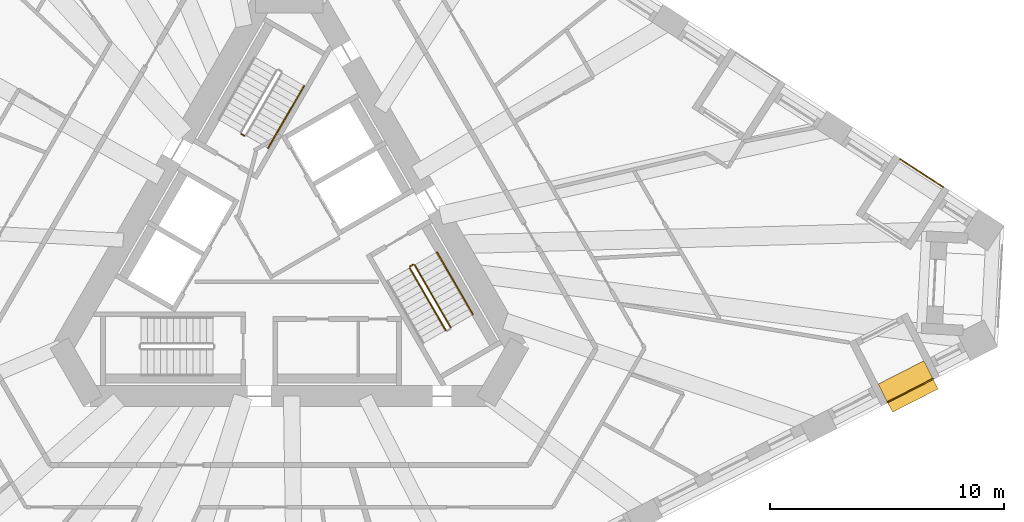
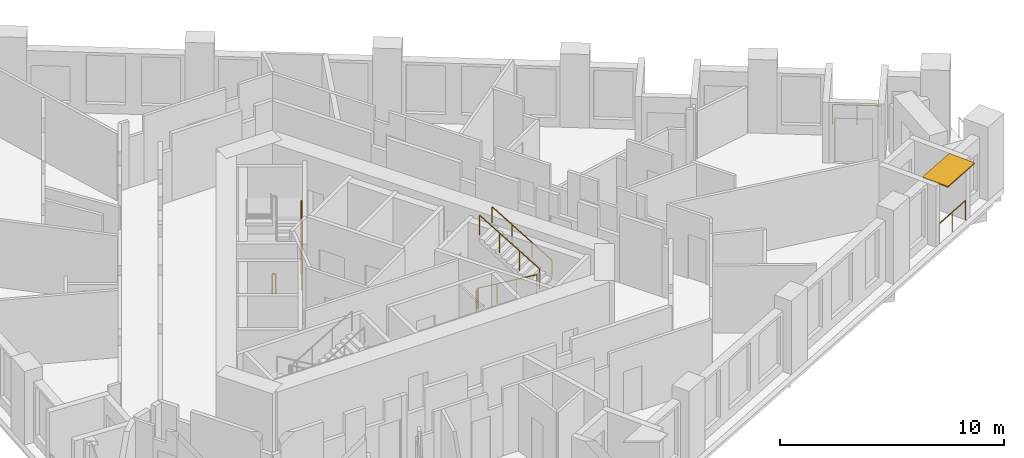
# One storey, part 11 of 13: 8 railings, 1 shading device.
"""IFC4 building model written with IfcOpenShell, lengths in metres."""

from ifc_helpers import new_model, si_unit, direction, frame, origin, origin_2d, place, context, subcontext, project, spatial, rectangle, circle, extrude, material, layer, layer_set, type_object, element, save


model = new_model("IFC4")

# Units and contexts
model_context = context("Model", 3, precision=1e-05, world=origin(), true_north=direction((0.0, 1.0)))
body_context = subcontext(model_context, "Body", "Model", "MODEL_VIEW")
ifc_project = project(units=[si_unit("LENGTHUNIT", "METRE"), si_unit("AREAUNIT", "SQUARE_METRE"), si_unit("VOLUMEUNIT", "CUBIC_METRE"), si_unit("PLANEANGLEUNIT", "RADIAN"), si_unit("MASSUNIT", "GRAM", prefix="KILO")], contexts=[model_context])

# Site, building, storey
site_placement = place(None, origin())
site = spatial("IfcSite", under=ifc_project, at=site_placement, CompositionType="ELEMENT")
building_placement = place(site_placement, origin())
building = spatial("IfcBuilding", under=site, at=building_placement, Name="Tramontana Tower", CompositionType="ELEMENT")
storey_placement = place(building_placement, frame((0.0, 0.0, 137.60009765625)))
storey = spatial("IfcBuildingStorey", under=building, at=storey_placement, Name="L31", CompositionType="ELEMENT", Elevation=137.60009765625)

# Railings
ifc_material_1 = material(Name="Laminated glass balustrade", Category="glass")
railing_type_1 = type_object("IfcRailingType", Name="GD1 Loggia glass balustrade 1100", PredefinedType="BALUSTRADE", material=ifc_material_1)
railing_1_placement = place(storey_placement, frame((25.603271484375, -6.5615234375, 0.0)))
element("IfcRailing", 1, at=railing_1_placement, inside=storey, type_object=railing_type_1, Name="Loggia balustrade L31 G3S1.16", PredefinedType="BALUSTRADE", context=body_context, shape_type="SweptSolid", body=[
    extrude(circle(Radius=0.02392578125, at=origin_2d()), frame((0.0, 0.0, 1.076171875), z_axis=(0.891013126725, 0.4539775413, 0.0), x_axis=(-0.4539775413, 0.891013126725, 0.0)), (0.0, 0.0, 1.0), 2.1904296875),
    extrude(circle(Radius=0.02099609375, at=origin_2d()), origin(), (0.0, 0.0, 1.0), 1.052001953125),
    extrude(circle(Radius=0.02099609375, at=origin_2d()), frame((0.975830078125, 0.4970703125, 0.0)), (0.0, 0.0, 1.0), 1.052001953125),
    extrude(circle(Radius=0.02099609375, at=origin_2d()), frame((1.95166015625, 0.994384765625, 0.0)), (0.0, 0.0, 1.0), 1.052001953125),
])
railing_2_placement = place(storey_placement, frame((27.98583984375, 2.65625, 0.0)))
element("IfcRailing", 2, at=railing_2_placement, inside=storey, type_object=railing_type_1, Name="Loggia balustrade L31 G3S2.1", PredefinedType="BALUSTRADE", context=body_context, shape_type="SweptSolid", body=[
    extrude(circle(Radius=0.02392578125, at=origin_2d()), frame((0.0, 0.0, 1.076171875), z_axis=(-0.838659986147, 0.544655329209, 0.0), x_axis=(-0.544655329209, -0.838659986147, 0.0)), (0.0, 0.0, 1.0), 2.190673828125),
    extrude(circle(Radius=0.02099609375, at=origin_2d()), origin(), (0.0, 0.0, 1.0), 1.052001953125),
    extrude(circle(Radius=0.02099609375, at=origin_2d()), frame((-0.91845703125, 0.5966796875, 0.0)), (0.0, 0.0, 1.0), 1.052001953125),
    extrude(circle(Radius=0.02099609375, at=origin_2d()), frame((-1.837158203125, 1.193115234375, 0.0)), (0.0, 0.0, 1.0), 1.052001953125),
])

# Shading device
ifc_material_2 = material(Name="Precast concrete 60 MPa", Category="concrete")
ifc_layer = layer(ifc_material_2, 0.06005859375)
ifc_layer_set = layer_set([ifc_layer], Name="SS1 Stone sunshade blade 60")
shading_device_type = type_object("IfcShadingDeviceType", Name="SS1 Stone sunshade blade 60", PredefinedType="USERDEFINED", material=ifc_layer_set)
shading_device_placement = place(storey_placement, frame((26.490478515625, -5.890625, 3.239990234375), z_axis=(0.0, 0.0, 1.0), x_axis=(0.891006524188, 0.45399049974, 0.0)))
element("IfcShadingDevice", 3, at=shading_device_placement, inside=storey, type_object=shading_device_type, Name="Sunshade L31 G3S1.16", ObjectType="SUNSHADE", PredefinedType="USERDEFINED", context=body_context, shape_type="SweptSolid", body=[
    extrude(rectangle(XDim=2.1904296875, YDim=1.35009765625, at=origin_2d()), origin(), (0.0, 0.0, 1.0), 0.06005859375),
])

# Railings
ifc_material_3 = material(Name="Painted steel", Category="steel")
railing_type_2 = type_object("IfcRailingType", Name="STAIR GUARD 1100", PredefinedType="GUARDRAIL", material=ifc_material_3)
railing_3_placement = place(storey_placement, frame((-1.935791015625, 4.84716796875, 0.0)))
element("IfcRailing", 4, at=railing_3_placement, inside=storey, type_object=railing_type_2, Name="L31 ST1 stair guard 4", PredefinedType="GUARDRAIL", context=body_context, shape_type="SweptSolid", body=[
    extrude(circle(Radius=0.02392578125, at=origin_2d()), frame((0.0, 0.0, 1.076171875), z_axis=(-0.865426285481, 0.501036270542, 0.0), x_axis=(-0.501036270542, -0.865426285481, 0.0)), (0.0, 0.0, 1.0), 0.150146484375),
    extrude(circle(Radius=0.02099609375, at=origin_2d()), origin(), (0.0, 0.0, 1.0), 1.052001953125),
    extrude(circle(Radius=0.02099609375, at=origin_2d()), frame((-0.1298828125, 0.0751953125, 0.0)), (0.0, 0.0, 1.0), 1.052001953125),
])
railing_4_placement = place(storey_placement, frame((5.1474609375, -0.815673828125, 0.16650390625)))
element("IfcRailing", 5, at=railing_4_placement, inside=storey, type_object=railing_type_2, Name="L31 ST3 stair guard 1", PredefinedType="GUARDRAIL", context=body_context, shape_type="SweptSolid", body=[
    extrude(circle(Radius=0.02392578125, at=origin_2d()), frame((0.0, 0.0, 1.076171875), z_axis=(0.429656224001, -0.744133520484, 0.511527939481), x_axis=(0.866010015463, 0.500026652407, 0.0)), (0.0, 0.0, 1.0), 3.58447265625),
    extrude(circle(Radius=0.02099609375, at=origin_2d()), origin(), (0.0, 0.0, 1.0), 1.052001953125),
    extrude(circle(Radius=0.02099609375, at=origin_2d()), frame((0.513427734375, -0.88916015625, 0.611083984375)), (0.0, 0.0, 1.0), 1.052001953125),
    extrude(circle(Radius=0.02099609375, at=origin_2d()), frame((1.026611328125, -1.778076171875, 1.222412109375)), (0.0, 0.0, 1.0), 1.052001953125),
    extrude(circle(Radius=0.02099609375, at=origin_2d()), frame((1.5400390625, -2.667236328125, 1.83349609375)), (0.0, 0.0, 1.0), 1.052001953125),
])
railing_5_placement = place(storey_placement, frame((6.90380859375, -3.35791015625, 2.16650390625)))
element("IfcRailing", 6, at=railing_5_placement, inside=storey, type_object=railing_type_2, Name="L31 ST3 stair guard 2", PredefinedType="GUARDRAIL", context=body_context, shape_type="SweptSolid", body=[
    extrude(circle(Radius=0.02392578125, at=origin_2d()), frame((0.0, 0.0, 1.076171875), z_axis=(-0.429600682602, 0.744155296881, 0.511542908886), x_axis=(-0.866044340336, -0.499967199496, 0.0)), (0.0, 0.0, 1.0), 3.584228515625),
    extrude(circle(Radius=0.02099609375, at=origin_2d()), origin(), (0.0, 0.0, 1.0), 1.052001953125),
    extrude(circle(Radius=0.02099609375, at=origin_2d()), frame((-0.51318359375, 0.88916015625, 0.611083984375)), (0.0, 0.0, 1.0), 1.052001953125),
    extrude(circle(Radius=0.02099609375, at=origin_2d()), frame((-1.026611328125, 1.778076171875, 1.222412109375)), (0.0, 0.0, 1.0), 1.052001953125),
    extrude(circle(Radius=0.02099609375, at=origin_2d()), frame((-1.539794921875, 2.667236328125, 1.83349609375)), (0.0, 0.0, 1.0), 1.052001953125),
])
railing_6_placement = place(storey_placement, frame((5.165771484375, -0.747314453125, 0.0)))
element("IfcRailing", 7, at=railing_6_placement, inside=storey, type_object=railing_type_2, Name="L31 ST3 stair guard 4", PredefinedType="GUARDRAIL", context=body_context, shape_type="SweptSolid", body=[
    extrude(circle(Radius=0.02392578125, at=origin_2d()), frame((0.0, 0.0, 1.076171875), z_axis=(0.866131372301, 0.499816412211, 0.0), x_axis=(-0.499816412211, 0.866131372301, 0.0)), (0.0, 0.0, 1.0), 0.14990234375),
    extrude(circle(Radius=0.02099609375, at=origin_2d()), origin(), (0.0, 0.0, 1.0), 1.052001953125),
    extrude(circle(Radius=0.02099609375, at=origin_2d()), frame((0.1298828125, 0.074951171875, 0.0)), (0.0, 0.0, 1.0), 1.052001953125),
])
ifc_material_4 = material(Name="Painted steel", Category="steel")
railing_type_3 = type_object("IfcRailingType", Name="STAIR HANDRAIL 900", PredefinedType="HANDRAIL", material=ifc_material_4)
railing_7_placement = place(storey_placement, frame((-0.914794921875, 4.315673828125, 0.16650390625)))
element("IfcRailing", 8, at=railing_7_placement, inside=storey, type_object=railing_type_3, Name="L31 ST1 stair handrail 1", PredefinedType="HANDRAIL", context=body_context, shape_type="SweptSolid", body=[
    extrude(circle(Radius=0.02392578125, at=origin_2d()), frame((0.0, 0.0, 0.8759765625), z_axis=(0.429656224001, 0.744133520484, 0.511527939481), x_axis=(-0.866010015463, 0.500026652407, 0.0)), (0.0, 0.0, 1.0), 3.58447265625),
    extrude(circle(Radius=0.02099609375, at=origin_2d()), origin(), (0.0, 0.0, 1.0), 0.851806640625),
    extrude(circle(Radius=0.02099609375, at=origin_2d()), frame((0.513427734375, 0.88916015625, 0.611083984375)), (0.0, 0.0, 1.0), 0.851806640625),
    extrude(circle(Radius=0.02099609375, at=origin_2d()), frame((1.026611328125, 1.778076171875, 1.222412109375)), (0.0, 0.0, 1.0), 0.851806640625),
    extrude(circle(Radius=0.02099609375, at=origin_2d()), frame((1.5400390625, 2.667236328125, 1.83349609375)), (0.0, 0.0, 1.0), 0.851806640625),
])
railing_8_placement = place(storey_placement, frame((7.8564453125, -2.807861328125, 2.16650390625)))
element("IfcRailing", 9, at=railing_8_placement, inside=storey, type_object=railing_type_3, Name="L31 ST3 stair handrail 2", PredefinedType="HANDRAIL", context=body_context, shape_type="SweptSolid", body=[
    extrude(circle(Radius=0.02392578125, at=origin_2d()), frame((0.0, 0.0, 0.8759765625), z_axis=(-0.429600682602, 0.744155296881, 0.511542908886), x_axis=(-0.866044340336, -0.499967199496, 0.0)), (0.0, 0.0, 1.0), 3.584228515625),
    extrude(circle(Radius=0.02099609375, at=origin_2d()), origin(), (0.0, 0.0, 1.0), 0.851806640625),
    extrude(circle(Radius=0.02099609375, at=origin_2d()), frame((-0.51318359375, 0.88916015625, 0.611083984375)), (0.0, 0.0, 1.0), 0.851806640625),
    extrude(circle(Radius=0.02099609375, at=origin_2d()), frame((-1.026611328125, 1.778076171875, 1.222412109375)), (0.0, 0.0, 1.0), 0.851806640625),
    extrude(circle(Radius=0.02099609375, at=origin_2d()), frame((-1.539794921875, 2.667236328125, 1.83349609375)), (0.0, 0.0, 1.0), 0.851806640625),
])

save(model, "model.ifc")
